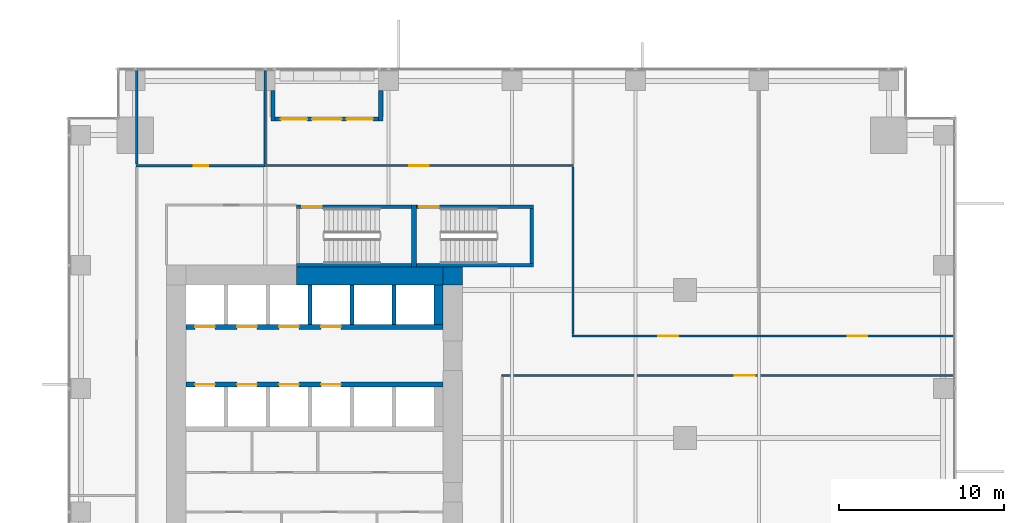
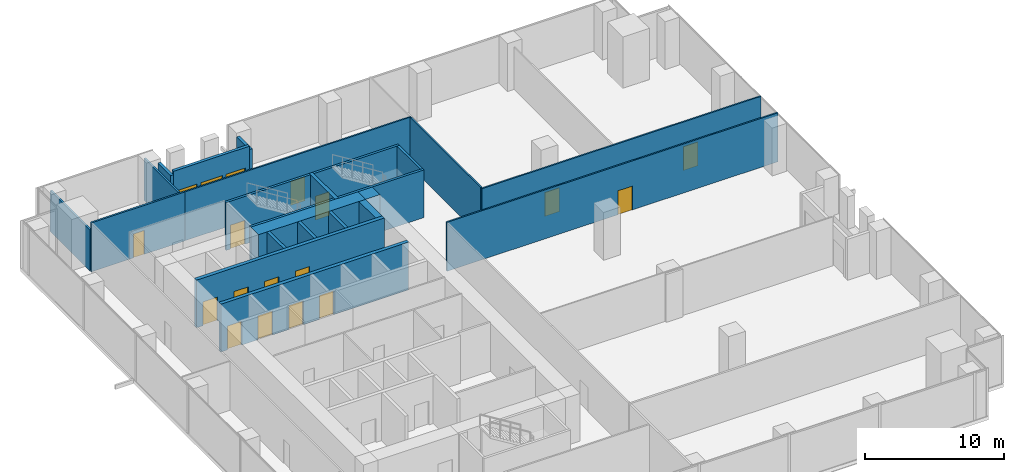
# One storey, part 29 of 33: 24 walls, 16 doors, 2 windows, 18 openings.
"""IFC4 building model written with IfcOpenShell, lengths in metres."""

from ifc_helpers import new_model, si_unit, direction, frame, frame_2d, origin, place, context, subcontext, project, spatial, rectangle, extrude, source, transform, mapped, material, layer, layer_set, type_object, element, fill, save


model = new_model("IFC4")

# Units and contexts
model_context = context("Model", 3, precision=1e-05, world=origin(), true_north=direction((0.0, 1.0)))
body_context = subcontext(model_context, "Body", "Model", "MODEL_VIEW")
ifc_project = project(units=[si_unit("LENGTHUNIT", "METRE"), si_unit("AREAUNIT", "SQUARE_METRE"), si_unit("VOLUMEUNIT", "CUBIC_METRE"), si_unit("PLANEANGLEUNIT", "RADIAN"), si_unit("MASSUNIT", "GRAM", prefix="KILO")], contexts=[model_context])

# Site, building, storey
site_placement = place(None, origin())
site = spatial("IfcSite", under=ifc_project, at=site_placement, CompositionType="ELEMENT")
building_placement = place(site_placement, origin())
building = spatial("IfcBuilding", under=site, at=building_placement, Name="Khomas Fold Tower", CompositionType="ELEMENT")
storey_placement = place(building_placement, frame((0.0, 0.0, 78.0)))
storey = spatial("IfcBuildingStorey", under=building, at=storey_placement, Name="L16", CompositionType="ELEMENT", Elevation=78.0)

# Walls
ifc_material_1 = material(Name="Concrete C70/85", Category="concrete")
ifc_layer_1 = layer(ifc_material_1, 1.10009765625)
ifc_layer_set_1 = layer_set([ifc_layer_1], Name="Concrete C70/85")
wall_type_1 = type_object("IfcWallType", Name="Core wall 1100", PredefinedType="SHEAR", material=ifc_layer_set_1)
shared_shape_1 = source(origin(), body_context, "Body", "SweptSolid", [
    extrude(rectangle(XDim=8.900146484375, YDim=1.10009765625, at=frame_2d((4.4501953125, 0.0))), origin(), (0.0, 0.0, 1.0), 4.199951171875),
])
wall_1_placement = place(storey_placement, frame((13.89990234375, 41.35009765625, 0.0), z_axis=(0.0, 0.0, 1.0), x_axis=(1.0, 0.0, 0.0)))
element("IfcWall", 1, at=wall_1_placement, inside=storey, type_object=wall_type_1, Name="Core wall CW-L-N-B2-1", PredefinedType="SHEAR", context=body_context, shape_type="MappedRepresentation", body=[
    mapped(shared_shape_1, transform((0.0, 0.0, 0.0))),
])
ifc_material_2 = material(Name="Concrete C70/85", Category="concrete")
ifc_layer_2 = layer(ifc_material_2, 1.10009765625)
ifc_layer_set_2 = layer_set([ifc_layer_2], Name="Concrete C70/85")
wall_type_2 = type_object("IfcWallType", Name="Core corner wall 1100", PredefinedType="SHEAR", material=ifc_layer_set_2)
shared_shape_2 = source(origin(), body_context, "Body", "SweptSolid", [
    extrude(rectangle(XDim=1.199951171875, YDim=1.10009765625, at=frame_2d((0.60009765625, 0.0))), origin(), (0.0, 0.0, 1.0), 4.199951171875),
])
wall_2_placement = place(storey_placement, frame((22.800048828125, 41.35009765625, 0.0), z_axis=(0.0, 0.0, 1.0), x_axis=(1.0, 0.0, 0.0)))
element("IfcWall", 2, at=wall_2_placement, inside=storey, type_object=wall_type_2, Name="Core wall CW-L-NE-B2", PredefinedType="SHEAR", context=body_context, shape_type="MappedRepresentation", body=[
    mapped(shared_shape_2, transform((0.0, 0.0, 0.0))),
])

# Wall, opening, door
ifc_material_3 = material(Name="Concrete C50/60", Category="concrete")
ifc_layer_3 = layer(ifc_material_3, 0.199951171875)
ifc_layer_set_3 = layer_set([ifc_layer_3], Name="Concrete C50/60")
wall_type_3 = type_object("IfcWallType", Name="Stair wall 200", PredefinedType="SHEAR", material=ifc_layer_set_3)
shared_shape_3 = source(origin(), body_context, "Body", "SweptSolid", [
    extrude(rectangle(XDim=7.0, YDim=0.199951171875, at=frame_2d((3.5, 0.0))), origin(), (0.0, 0.0, 1.0), 4.199951171875),
])
wall_3_placement = place(storey_placement, frame((13.89990234375, 45.550048828125, 0.0), z_axis=(0.0, 0.0, 1.0), x_axis=(1.0, 0.0, 0.0)))
wall_3 = element("IfcWall", 3, at=wall_3_placement, inside=storey, type_object=wall_type_3, Name="Stair wall SW-ST1-N", PredefinedType="SHEAR", context=body_context, shape_type="MappedRepresentation", body=[
    mapped(shared_shape_3, transform((0.0, 0.0, 0.0))),
])
shared_shape_4 = source(origin(), body_context, "Body", "SweptSolid", [
    extrude(rectangle(XDim=1.199951171875, YDim=2.10009765625, at=frame_2d((0.60009765625, 1.050048828125))), frame((0.0, 0.10986328125, 0.0), z_axis=(0.0, -1.0, 0.0), x_axis=(1.0, 0.0, 0.0)), (0.0, 0.0, 1.0), 0.219970703125),
])
opening_1_placement = place(wall_3_placement, frame((0.35009765625, 0.0, 0.0)))
opening_1 = element("IfcOpeningElement", 4, at=opening_1_placement, cuts=wall_3, Name="Opening SD-ST1", PredefinedType="OPENING", context=body_context, shape_type="MappedRepresentation", body=[
    mapped(shared_shape_4, transform((0.0, 0.0, 0.0))),
])
ifc_material_4 = material(Name="Steel door leaf", Category="steel")
door_type_1 = type_object("IfcDoorType", Name="Stair door 1200x2100 left-hand", OperationType="SINGLE_SWING_LEFT", PredefinedType="DOOR", material=ifc_material_4)
shared_shape_5 = source(origin(), body_context, "Body", "SweptSolid", [
    extrude(rectangle(XDim=1.199951171875, YDim=2.10009765625, at=frame_2d((0.60009765625, 1.050048828125))), frame((0.0, 0.02490234375, 0.0), z_axis=(0.0, -1.0, 0.0), x_axis=(1.0, 0.0, 0.0)), (0.0, 0.0, 1.0), 0.050048828125),
])
door_1_placement = place(opening_1_placement, origin())
door_1 = element("IfcDoor", 5, at=door_1_placement, inside=storey, type_object=door_type_1, Name="Stair door", OperationType="SINGLE_SWING_LEFT", OverallHeight=2.10009765625, OverallWidth=1.199951171875, PredefinedType="DOOR", context=body_context, shape_type="MappedRepresentation", body=[
    mapped(shared_shape_5, transform((0.0, 0.0, 0.0))),
])
fill(opening_1, door_1)

# Wall
wall_4_placement = place(storey_placement, frame((13.89990234375, 42.0, 0.0), z_axis=(0.0, 0.0, 1.0), x_axis=(1.0, 0.0, 0.0)))
element("IfcWall", 6, at=wall_4_placement, inside=storey, type_object=wall_type_3, Name="Stair wall SW-ST1-S", PredefinedType="SHEAR", context=body_context, shape_type="MappedRepresentation", body=[
    mapped(shared_shape_3, transform((0.0, 0.0, 0.0))),
])

# Wall, opening, door
shared_shape_6 = source(origin(), body_context, "Body", "SweptSolid", [
    extrude(rectangle(XDim=7.10009765625, YDim=0.199951171875, at=frame_2d((3.550048828125, 0.0))), origin(), (0.0, 0.0, 1.0), 4.199951171875),
])
wall_5_placement = place(storey_placement, frame((21.199951171875, 45.550048828125, 0.0), z_axis=(0.0, 0.0, 1.0), x_axis=(1.0, 0.0, 0.0)))
wall_5 = element("IfcWall", 7, at=wall_5_placement, inside=storey, type_object=wall_type_3, Name="Stair wall SW-ST3-N", PredefinedType="SHEAR", context=body_context, shape_type="MappedRepresentation", body=[
    mapped(shared_shape_6, transform((0.0, 0.0, 0.0))),
])
opening_2_placement = place(wall_5_placement, frame((0.14990234375, 0.0, 0.0)))
opening_2 = element("IfcOpeningElement", 8, at=opening_2_placement, cuts=wall_5, Name="Opening SD-ST3", PredefinedType="OPENING", context=body_context, shape_type="MappedRepresentation", body=[
    mapped(shared_shape_4, transform((0.0, 0.0, 0.0))),
])
door_2_placement = place(opening_2_placement, origin())
door_2 = element("IfcDoor", 9, at=door_2_placement, inside=storey, type_object=door_type_1, Name="Stair door", OperationType="SINGLE_SWING_LEFT", OverallHeight=2.10009765625, OverallWidth=1.199951171875, PredefinedType="DOOR", context=body_context, shape_type="MappedRepresentation", body=[
    mapped(shared_shape_5, transform((0.0, 0.0, 0.0))),
])
fill(opening_2, door_2)

# Walls
wall_6_placement = place(storey_placement, frame((21.199951171875, 42.0, 0.0), z_axis=(0.0, 0.0, 1.0), x_axis=(1.0, 0.0, 0.0)))
element("IfcWall", 10, at=wall_6_placement, inside=storey, type_object=wall_type_3, Name="Stair wall SW-ST3-S", PredefinedType="SHEAR", context=body_context, shape_type="MappedRepresentation", body=[
    mapped(shared_shape_6, transform((0.0, 0.0, 0.0))),
])
ifc_material_5 = material(Name="Concrete C50/60", Category="concrete")
ifc_layer_4 = layer(ifc_material_5, 0.300048828125)
ifc_layer_set_4 = layer_set([ifc_layer_4], Name="Concrete C50/60")
wall_type_4 = type_object("IfcWallType", Name="Stair wall 300", PredefinedType="SHEAR", material=ifc_layer_set_4)
shared_shape_7 = source(origin(), body_context, "Body", "SweptSolid", [
    extrude(rectangle(XDim=3.75, YDim=0.300048828125, at=frame_2d((1.875, 0.0))), origin(), (0.0, 0.0, 1.0), 4.199951171875),
])
wall_7_placement = place(storey_placement, frame((21.050048828125, 41.89990234375, 0.0), z_axis=(0.0, 0.0, 1.0), x_axis=(0.0, 1.0, 0.0)))
element("IfcWall", 11, at=wall_7_placement, inside=storey, type_object=wall_type_4, Name="Stair wall SW-ST1-E", PredefinedType="SHEAR", context=body_context, shape_type="MappedRepresentation", body=[
    mapped(shared_shape_7, transform((0.0, 0.0, 0.0))),
])
shared_shape_8 = source(origin(), body_context, "Body", "SweptSolid", [
    extrude(rectangle(XDim=3.349853515625, YDim=0.199951171875, at=frame_2d((1.6748046875, 0.0))), origin(), (0.0, 0.0, 1.0), 4.199951171875),
])
wall_8_placement = place(storey_placement, frame((28.199951171875, 42.10009765625, 0.0), z_axis=(0.0, 0.0, 1.0), x_axis=(0.0, 1.0, 0.0)))
element("IfcWall", 12, at=wall_8_placement, inside=storey, type_object=wall_type_3, Name="Stair wall SW-ST3-E", PredefinedType="SHEAR", context=body_context, shape_type="MappedRepresentation", body=[
    mapped(shared_shape_8, transform((0.0, 0.0, 0.0))),
])

# Wall, openings, doors
ifc_material_6 = material(Name="Concrete C50/60", Category="concrete")
ifc_layer_5 = layer(ifc_material_6, 0.300048828125)
ifc_layer_set_5 = layer_set([ifc_layer_5], Name="Concrete C50/60")
wall_type_5 = type_object("IfcWallType", Name="Shaft wall 300", PredefinedType="STANDARD", material=ifc_layer_set_5)
shared_shape_9 = source(origin(), body_context, "Body", "SweptSolid", [
    extrude(rectangle(XDim=15.60009765625, YDim=0.300048828125, at=frame_2d((7.800048828125, 0.0))), origin(), (0.0, 0.0, 1.0), 4.199951171875),
])
wall_9_placement = place(storey_placement, frame((7.199951171875, 38.25, 0.0), z_axis=(0.0, 0.0, 1.0), x_axis=(1.0, 0.0, 0.0)))
wall_9 = element("IfcWall", 13, at=wall_9_placement, inside=storey, type_object=wall_type_5, Name="Core wall SW-LRN-F", PredefinedType="STANDARD", context=body_context, shape_type="MappedRepresentation", body=[
    mapped(shared_shape_9, transform((0.0, 0.0, 0.0))),
])
shared_shape_10 = source(origin(), body_context, "Body", "SweptSolid", [
    extrude(rectangle(XDim=1.199951171875, YDim=2.10009765625, at=frame_2d((0.60009765625, 1.050048828125))), frame((0.0, 0.159912109375, 0.0), z_axis=(0.0, -1.0, 0.0), x_axis=(1.0, 0.0, 0.0)), (0.0, 0.0, 1.0), 0.320068359375),
])
opening_3_placement = place(wall_9_placement, frame((0.550048828125, 0.0, 0.0)))
opening_3 = element("IfcOpeningElement", 14, at=opening_3_placement, cuts=wall_9, Name="Opening LD-LR5", PredefinedType="OPENING", context=body_context, shape_type="MappedRepresentation", body=[
    mapped(shared_shape_10, transform((0.0, 0.0, 0.0))),
])
opening_4_placement = place(wall_9_placement, frame((3.10009765625, 0.0, 0.0)))
opening_4 = element("IfcOpeningElement", 15, at=opening_4_placement, cuts=wall_9, Name="Opening LD-LR6", PredefinedType="OPENING", context=body_context, shape_type="MappedRepresentation", body=[
    mapped(shared_shape_10, transform((0.0, 0.0, 0.0))),
])
opening_5_placement = place(wall_9_placement, frame((5.64990234375, 0.0, 0.0)))
opening_5 = element("IfcOpeningElement", 16, at=opening_5_placement, cuts=wall_9, Name="Opening LD-LR7", PredefinedType="OPENING", context=body_context, shape_type="MappedRepresentation", body=[
    mapped(shared_shape_10, transform((0.0, 0.0, 0.0))),
])
opening_6_placement = place(wall_9_placement, frame((8.199951171875, 0.0, 0.0)))
opening_6 = element("IfcOpeningElement", 17, at=opening_6_placement, cuts=wall_9, Name="Opening LD-LR8", PredefinedType="OPENING", context=body_context, shape_type="MappedRepresentation", body=[
    mapped(shared_shape_10, transform((0.0, 0.0, 0.0))),
])
ifc_material_7 = material(Name="Steel door leaf", Category="steel")
door_type_2 = type_object("IfcDoorType", Name="Landing door 1200x2100", OperationType="DOUBLE_DOOR_SLIDING", PredefinedType="DOOR", material=ifc_material_7)
door_3_placement = place(opening_3_placement, origin())
door_3 = element("IfcDoor", 18, at=door_3_placement, inside=storey, type_object=door_type_2, Name="Lift landing door", OperationType="DOUBLE_DOOR_SLIDING", OverallHeight=2.10009765625, OverallWidth=1.199951171875, PredefinedType="DOOR", context=body_context, shape_type="MappedRepresentation", body=[
    mapped(shared_shape_5, transform((0.0, 0.0, 0.0))),
])
fill(opening_3, door_3)
door_4_placement = place(opening_4_placement, origin())
door_4 = element("IfcDoor", 19, at=door_4_placement, inside=storey, type_object=door_type_2, Name="Lift landing door", OperationType="DOUBLE_DOOR_SLIDING", OverallHeight=2.10009765625, OverallWidth=1.199951171875, PredefinedType="DOOR", context=body_context, shape_type="MappedRepresentation", body=[
    mapped(shared_shape_5, transform((0.0, 0.0, 0.0))),
])
fill(opening_4, door_4)
door_5_placement = place(opening_5_placement, origin())
door_5 = element("IfcDoor", 20, at=door_5_placement, inside=storey, type_object=door_type_2, Name="Lift landing door", OperationType="DOUBLE_DOOR_SLIDING", OverallHeight=2.10009765625, OverallWidth=1.199951171875, PredefinedType="DOOR", context=body_context, shape_type="MappedRepresentation", body=[
    mapped(shared_shape_5, transform((0.0, 0.0, 0.0))),
])
fill(opening_5, door_5)
door_6_placement = place(opening_6_placement, origin())
door_6 = element("IfcDoor", 21, at=door_6_placement, inside=storey, type_object=door_type_2, Name="Lift landing door", OperationType="DOUBLE_DOOR_SLIDING", OverallHeight=2.10009765625, OverallWidth=1.199951171875, PredefinedType="DOOR", context=body_context, shape_type="MappedRepresentation", body=[
    mapped(shared_shape_5, transform((0.0, 0.0, 0.0))),
])
fill(opening_6, door_6)

wall_10_placement = place(storey_placement, frame((7.199951171875, 34.75, 0.0), z_axis=(0.0, 0.0, 1.0), x_axis=(1.0, 0.0, 0.0)))
wall_10 = element("IfcWall", 22, at=wall_10_placement, inside=storey, type_object=wall_type_5, Name="Core wall SW-LRS-F", PredefinedType="STANDARD", context=body_context, shape_type="MappedRepresentation", body=[
    mapped(shared_shape_9, transform((0.0, 0.0, 0.0))),
])
opening_7_placement = place(wall_10_placement, frame((0.550048828125, 0.0, 0.0)))
opening_7 = element("IfcOpeningElement", 23, at=opening_7_placement, cuts=wall_10, Name="Opening LD-LR1", PredefinedType="OPENING", context=body_context, shape_type="MappedRepresentation", body=[
    mapped(shared_shape_10, transform((0.0, 0.0, 0.0))),
])
opening_8_placement = place(wall_10_placement, frame((3.10009765625, 0.0, 0.0)))
opening_8 = element("IfcOpeningElement", 24, at=opening_8_placement, cuts=wall_10, Name="Opening LD-LR2", PredefinedType="OPENING", context=body_context, shape_type="MappedRepresentation", body=[
    mapped(shared_shape_10, transform((0.0, 0.0, 0.0))),
])
opening_9_placement = place(wall_10_placement, frame((5.64990234375, 0.0, 0.0)))
opening_9 = element("IfcOpeningElement", 25, at=opening_9_placement, cuts=wall_10, Name="Opening LD-LR3", PredefinedType="OPENING", context=body_context, shape_type="MappedRepresentation", body=[
    mapped(shared_shape_10, transform((0.0, 0.0, 0.0))),
])
opening_10_placement = place(wall_10_placement, frame((8.199951171875, 0.0, 0.0)))
opening_10 = element("IfcOpeningElement", 26, at=opening_10_placement, cuts=wall_10, Name="Opening LD-LR4", PredefinedType="OPENING", context=body_context, shape_type="MappedRepresentation", body=[
    mapped(shared_shape_10, transform((0.0, 0.0, 0.0))),
])
door_7_placement = place(opening_7_placement, origin())
door_7 = element("IfcDoor", 27, at=door_7_placement, inside=storey, type_object=door_type_2, Name="Lift landing door", OperationType="DOUBLE_DOOR_SLIDING", OverallHeight=2.10009765625, OverallWidth=1.199951171875, PredefinedType="DOOR", context=body_context, shape_type="MappedRepresentation", body=[
    mapped(shared_shape_5, transform((0.0, 0.0, 0.0))),
])
fill(opening_7, door_7)
door_8_placement = place(opening_8_placement, origin())
door_8 = element("IfcDoor", 28, at=door_8_placement, inside=storey, type_object=door_type_2, Name="Lift landing door", OperationType="DOUBLE_DOOR_SLIDING", OverallHeight=2.10009765625, OverallWidth=1.199951171875, PredefinedType="DOOR", context=body_context, shape_type="MappedRepresentation", body=[
    mapped(shared_shape_5, transform((0.0, 0.0, 0.0))),
])
fill(opening_8, door_8)
door_9_placement = place(opening_9_placement, origin())
door_9 = element("IfcDoor", 29, at=door_9_placement, inside=storey, type_object=door_type_2, Name="Lift landing door", OperationType="DOUBLE_DOOR_SLIDING", OverallHeight=2.10009765625, OverallWidth=1.199951171875, PredefinedType="DOOR", context=body_context, shape_type="MappedRepresentation", body=[
    mapped(shared_shape_5, transform((0.0, 0.0, 0.0))),
])
fill(opening_9, door_9)
door_10_placement = place(opening_10_placement, origin())
door_10 = element("IfcDoor", 30, at=door_10_placement, inside=storey, type_object=door_type_2, Name="Lift landing door", OperationType="DOUBLE_DOOR_SLIDING", OverallHeight=2.10009765625, OverallWidth=1.199951171875, PredefinedType="DOOR", context=body_context, shape_type="MappedRepresentation", body=[
    mapped(shared_shape_5, transform((0.0, 0.0, 0.0))),
])
fill(opening_10, door_10)

# Walls
ifc_material_8 = material(Name="Concrete C50/60", Category="concrete")
ifc_layer_6 = layer(ifc_material_8, 0.25)
ifc_layer_set_6 = layer_set([ifc_layer_6], Name="Concrete C50/60")
wall_type_6 = type_object("IfcWallType", Name="Shaft wall 250", PredefinedType="STANDARD", material=ifc_layer_set_6)
shared_shape_11 = source(origin(), body_context, "Body", "SweptSolid", [
    extrude(rectangle(XDim=2.400146484375, YDim=0.25, at=frame_2d((1.2001953125, 0.0))), origin(), (0.0, 0.0, 1.0), 4.199951171875),
])
for number, where, z_axis, x_axis, name in (
    (31, (14.72509765625, 38.39990234375, 0.0), (0.0, 0.0, 1.0), (0.0, 1.0, 0.0), "Core wall SW-LRN-P3"),
    (32, (17.27490234375, 38.39990234375, 0.0), (0.0, 0.0, 1.0), (0.0, 1.0, 0.0), "Core wall SW-LRN-P4"),
    (33, (19.824951171875, 38.39990234375, 0.0), (0.0, 0.0, 1.0), (0.0, 1.0, 0.0), "Core wall SW-LRN-P5"),
):
    element("IfcWall", number, at=place(storey_placement, frame(where, z_axis=z_axis, x_axis=x_axis)), inside=storey, type_object=wall_type_6, Name=name, PredefinedType="STANDARD", context=body_context, shape_type="MappedRepresentation", body=[
        mapped(shared_shape_11, transform((0.0, 0.0, 0.0))),
    ])
ifc_material_9 = material(Name="Concrete C50/60", Category="concrete")
ifc_layer_7 = layer(ifc_material_9, 0.550048828125)
ifc_layer_set_7 = layer_set([ifc_layer_7], Name="Concrete C50/60")
wall_type_7 = type_object("IfcWallType", Name="Shaft wall 550", PredefinedType="STANDARD", material=ifc_layer_set_7)
shared_shape_12 = source(origin(), body_context, "Body", "SweptSolid", [
    extrude(rectangle(XDim=2.400146484375, YDim=0.550048828125, at=frame_2d((1.2001953125, 0.0))), origin(), (0.0, 0.0, 1.0), 4.199951171875),
])
wall_11_placement = place(storey_placement, frame((22.52490234375, 38.39990234375, 0.0), z_axis=(0.0, 0.0, 1.0), x_axis=(0.0, 1.0, 0.0)))
element("IfcWall", 34, at=wall_11_placement, inside=storey, type_object=wall_type_7, Name="Core wall SW-LRN-PE", PredefinedType="STANDARD", context=body_context, shape_type="MappedRepresentation", body=[
    mapped(shared_shape_12, transform((0.0, 0.0, 0.0))),
])
ifc_material_10 = material(Name="Natural stone", Category="masonry")
ifc_layer_8 = layer(ifc_material_10, 0.0400390625)
ifc_material_11 = material(Name="Mineral wool insulation", Category="insulation")
ifc_layer_9 = layer(ifc_material_11, 0.10009765625)
ifc_material_12 = material(Name="Masonry", Category="masonry")
ifc_layer_10 = layer(ifc_material_12, 0.110107421875)
ifc_layer_set_8 = layer_set([ifc_layer_8, ifc_layer_9, ifc_layer_10], Name="Stone-faced insulated masonry")
wall_type_8 = type_object("IfcWallType", Name="BL-Balcony wall", PredefinedType="SOLIDWALL", material=ifc_layer_set_8)
shared_shape_13 = source(origin(), body_context, "Body", "SweptSolid", [
    extrude(rectangle(XDim=1.85009765625, YDim=0.25, at=frame_2d((0.925048828125, 0.0))), origin(), (0.0, 0.0, 1.0), 3.89990234375),
])
for number, where, z_axis, x_axis, name in (
    (35, (12.47509765625, 52.60009765625, 0.0), (0.0, 0.0, 1.0), (0.0, -1.0, 0.0), "Balcony return wall BAL-L16-N1-lo"),
    (36, (19.02490234375, 52.60009765625, 0.0), (0.0, 0.0, 1.0), (0.0, -1.0, 0.0), "Balcony return wall BAL-L16-N1-hi"),
):
    element("IfcWall", number, at=place(storey_placement, frame(where, z_axis=z_axis, x_axis=x_axis)), inside=storey, type_object=wall_type_8, Name=name, PredefinedType="SOLIDWALL", context=body_context, shape_type="MappedRepresentation", body=[
        mapped(shared_shape_13, transform((0.0, 0.0, 0.0))),
    ])

# Wall, openings, windows, door
shared_shape_14 = source(origin(), body_context, "Body", "SweptSolid", [
    extrude(rectangle(XDim=6.2998046875, YDim=0.25, at=frame_2d((3.14990234375, 0.0))), origin(), (0.0, 0.0, 1.0), 4.199951171875),
])
wall_12_placement = place(storey_placement, frame((12.60009765625, 50.875, 0.0), z_axis=(0.0, 0.0, 1.0), x_axis=(1.0, 0.0, 0.0)))
wall_12 = element("IfcWall", 37, at=wall_12_placement, inside=storey, type_object=wall_type_8, Name="Balcony wall BAL-L16-N1", PredefinedType="SOLIDWALL", context=body_context, shape_type="MappedRepresentation", body=[
    mapped(shared_shape_14, transform((0.0, 0.0, 0.0))),
])
shared_shape_15 = source(origin(), body_context, "Body", "SweptSolid", [
    extrude(rectangle(XDim=1.60009765625, YDim=2.39990234375, at=frame_2d((0.800048828125, 1.199951171875))), frame((0.0, 0.135009765625, 0.0), z_axis=(0.0, -1.0, 0.0), x_axis=(1.0, 0.0, 0.0)), (0.0, 0.0, 1.0), 0.27001953125),
])
opening_11_placement = place(wall_12_placement, frame((0.35009765625, 0.0, 0.0)))
opening_11 = element("IfcOpeningElement", 38, at=opening_11_placement, cuts=wall_12, Name="Opening BL-W1", PredefinedType="OPENING", context=body_context, shape_type="MappedRepresentation", body=[
    mapped(shared_shape_15, transform((0.0, 0.0, 0.0))),
])
opening_12_placement = place(wall_12_placement, frame((4.35009765625, 0.0, 0.0)))
opening_12 = element("IfcOpeningElement", 39, at=opening_12_placement, cuts=wall_12, Name="Opening BL-W1", PredefinedType="OPENING", context=body_context, shape_type="MappedRepresentation", body=[
    mapped(shared_shape_15, transform((0.0, 0.0, 0.0))),
])
shared_shape_16 = source(origin(), body_context, "Body", "SweptSolid", [
    extrude(rectangle(XDim=1.800048828125, YDim=2.39990234375, at=frame_2d((0.89990234375, 1.199951171875))), frame((0.0, 0.135009765625, 0.0), z_axis=(0.0, -1.0, 0.0), x_axis=(1.0, 0.0, 0.0)), (0.0, 0.0, 1.0), 0.27001953125),
])
opening_13_placement = place(wall_12_placement, frame((2.25, 0.0, 0.0)))
opening_13 = element("IfcOpeningElement", 40, at=opening_13_placement, cuts=wall_12, Name="Opening BD162", PredefinedType="OPENING", context=body_context, shape_type="MappedRepresentation", body=[
    mapped(shared_shape_16, transform((0.0, 0.0, 0.0))),
])
ifc_material_13 = material(Name="Aluminium framed double glazing", Category="aluminium")
window_type = type_object("IfcWindowType", Name="BL-Fixed glazing 1600 x 2400", PartitioningType="SINGLE_PANEL", PredefinedType="WINDOW", material=ifc_material_13)
shared_shape_17 = source(origin(), body_context, "Body", "SweptSolid", [
    extrude(rectangle(XDim=1.60009765625, YDim=2.39990234375, at=frame_2d((0.800048828125, 1.199951171875))), frame((0.0, 0.030029296875, 0.0), z_axis=(0.0, -1.0, 0.0), x_axis=(1.0, 0.0, 0.0)), (0.0, 0.0, 1.0), 0.06005859375),
])
window_1_placement = place(opening_11_placement, origin())
window_1 = element("IfcWindow", 41, at=window_1_placement, inside=storey, type_object=window_type, Name="Balcony glazing BAL-L16-N1-1", OverallHeight=2.39990234375, OverallWidth=1.60009765625, PartitioningType="SINGLE_PANEL", PredefinedType="WINDOW", context=body_context, shape_type="MappedRepresentation", body=[
    mapped(shared_shape_17, transform((0.0, 0.0, 0.0))),
])
fill(opening_11, window_1)
window_2_placement = place(opening_12_placement, origin())
window_2 = element("IfcWindow", 42, at=window_2_placement, inside=storey, type_object=window_type, Name="Balcony glazing BAL-L16-N1-2", OverallHeight=2.39990234375, OverallWidth=1.60009765625, PartitioningType="SINGLE_PANEL", PredefinedType="WINDOW", context=body_context, shape_type="MappedRepresentation", body=[
    mapped(shared_shape_17, transform((0.0, 0.0, 0.0))),
])
fill(opening_12, window_2)
ifc_material_14 = material(Name="Aluminium framed double glazing", Category="aluminium")
door_type_3 = type_object("IfcDoorType", Name="BL-Glazed balcony door 1800 x 2400", OperationType="DOUBLE_DOOR_DOUBLE_SWING", PredefinedType="DOOR", material=ifc_material_14)
shared_shape_18 = source(origin(), body_context, "Body", "SweptSolid", [
    extrude(rectangle(XDim=1.800048828125, YDim=2.39990234375, at=frame_2d((0.89990234375, 1.199951171875))), frame((0.0, 0.02490234375, 0.0), z_axis=(0.0, -1.0, 0.0), x_axis=(1.0, 0.0, 0.0)), (0.0, 0.0, 1.0), 0.050048828125),
])
door_11_placement = place(opening_13_placement, origin())
door_11 = element("IfcDoor", 43, at=door_11_placement, inside=storey, type_object=door_type_3, Name="Balcony door BD162", OperationType="DOUBLE_DOOR_DOUBLE_SWING", OverallHeight=2.39990234375, OverallWidth=1.800048828125, PredefinedType="DOOR", context=body_context, shape_type="MappedRepresentation", body=[
    mapped(shared_shape_18, transform((0.0, 0.0, 0.0))),
])
fill(opening_13, door_11)

# Wall, opening, door
ifc_material_15 = material(Name="Plasterboard partition")
ifc_layer_11 = layer(ifc_material_15, 0.125)
ifc_layer_set_9 = layer_set([ifc_layer_11], Name="Plasterboard partition")
wall_type_9 = type_object("IfcWallType", Name="Partition PW2 125", PredefinedType="PARTITIONING", material=ifc_layer_set_9)
shared_shape_19 = source(origin(), body_context, "Body", "SweptSolid", [
    extrude(rectangle(XDim=27.5, YDim=0.125, at=frame_2d((13.75, 0.0))), origin(), (0.0, 0.0, 1.0), 4.300048828125),
])
wall_13_placement = place(storey_placement, frame((26.35009765625, 35.300048828125, 0.0), z_axis=(0.0, 0.0, 1.0), x_axis=(1.0, 0.0, 0.0)))
wall_13 = element("IfcWall", 44, at=wall_13_placement, inside=storey, type_object=wall_type_9, Name="Partition", PredefinedType="PARTITIONING", context=body_context, shape_type="MappedRepresentation", body=[
    mapped(shared_shape_19, transform((0.0, 0.0, 0.0))),
])
shared_shape_20 = source(origin(), body_context, "Body", "SweptSolid", [
    extrude(rectangle(XDim=1.199951171875, YDim=2.10009765625, at=frame_2d((0.60009765625, 1.050048828125))), frame((0.0, 0.072509765625, 0.0), z_axis=(0.0, -1.0, 0.0), x_axis=(1.0, 0.0, 0.0)), (0.0, 0.0, 1.0), 0.14501953125),
])
opening_14_placement = place(wall_13_placement, frame((14.199951171875, 0.0, 0.0)))
opening_14 = element("IfcOpeningElement", 45, at=opening_14_placement, cuts=wall_13, Name="Opening 0013", PredefinedType="OPENING", context=body_context, shape_type="MappedRepresentation", body=[
    mapped(shared_shape_20, transform((0.0, 0.0, 0.0))),
])
ifc_material_16 = material(Name="Timber door leaf", Category="wood")
door_type_4 = type_object("IfcDoorType", Name="Door 1200x2100 left-hand", OperationType="SINGLE_SWING_LEFT", PredefinedType="DOOR", material=ifc_material_16)
door_12_placement = place(opening_14_placement, origin())
door_12 = element("IfcDoor", 46, at=door_12_placement, inside=storey, type_object=door_type_4, Name="Door", OperationType="SINGLE_SWING_LEFT", OverallHeight=2.10009765625, OverallWidth=1.199951171875, PredefinedType="DOOR", context=body_context, shape_type="MappedRepresentation", body=[
    mapped(shared_shape_5, transform((0.0, 0.0, 0.0))),
])
fill(opening_14, door_12)

# Wall, openings, doors
shared_shape_21 = source(origin(), body_context, "Body", "SweptSolid", [
    extrude(rectangle(XDim=23.2001953125, YDim=0.125, at=frame_2d((11.60009765625, 0.0))), origin(), (0.0, 0.0, 1.0), 4.300048828125),
])
wall_14_placement = place(storey_placement, frame((30.64990234375, 37.699951171875, 0.0), z_axis=(0.0, 0.0, 1.0), x_axis=(1.0, 0.0, 0.0)))
wall_14 = element("IfcWall", 47, at=wall_14_placement, inside=storey, type_object=wall_type_9, Name="Partition", PredefinedType="PARTITIONING", context=body_context, shape_type="MappedRepresentation", body=[
    mapped(shared_shape_21, transform((0.0, 0.0, 0.0))),
])
opening_15_placement = place(wall_14_placement, frame((5.25, 0.0, 0.0)))
opening_15 = element("IfcOpeningElement", 48, at=opening_15_placement, cuts=wall_14, Name="Opening 0013", PredefinedType="OPENING", context=body_context, shape_type="MappedRepresentation", body=[
    mapped(shared_shape_20, transform((0.0, 0.0, 0.0))),
])
opening_16_placement = place(wall_14_placement, frame((16.75, 0.0, 0.0)))
opening_16 = element("IfcOpeningElement", 49, at=opening_16_placement, cuts=wall_14, Name="Opening 0001", PredefinedType="OPENING", context=body_context, shape_type="MappedRepresentation", body=[
    mapped(shared_shape_20, transform((0.0, 0.0, 0.0))),
])
door_13_placement = place(opening_15_placement, origin())
door_13 = element("IfcDoor", 50, at=door_13_placement, inside=storey, type_object=door_type_4, Name="Door", OperationType="SINGLE_SWING_LEFT", OverallHeight=2.10009765625, OverallWidth=1.199951171875, PredefinedType="DOOR", context=body_context, shape_type="MappedRepresentation", body=[
    mapped(shared_shape_5, transform((0.0, 0.0, 0.0))),
])
fill(opening_15, door_13)
ifc_material_17 = material(Name="Timber door leaf", Category="wood")
door_type_5 = type_object("IfcDoorType", Name="Door 1200x2100 right-hand", OperationType="SINGLE_SWING_RIGHT", PredefinedType="DOOR", material=ifc_material_17)
door_14_placement = place(opening_16_placement, origin())
door_14 = element("IfcDoor", 51, at=door_14_placement, inside=storey, type_object=door_type_5, Name="Door", OperationType="SINGLE_SWING_RIGHT", OverallHeight=2.10009765625, OverallWidth=1.199951171875, PredefinedType="DOOR", context=body_context, shape_type="MappedRepresentation", body=[
    mapped(shared_shape_5, transform((0.0, 0.0, 0.0))),
])
fill(opening_16, door_14)

# Wall
shared_shape_22 = source(origin(), body_context, "Body", "SweptSolid", [
    extrude(rectangle(XDim=10.14990234375, YDim=0.125, at=frame_2d((5.074951171875, 0.0))), origin(), (0.0, 0.0, 1.0), 4.300048828125),
])
wall_15_placement = place(storey_placement, frame((30.699951171875, 37.800048828125, 0.0), z_axis=(0.0, 0.0, 1.0), x_axis=(0.0, 1.0, 0.0)))
element("IfcWall", 52, at=wall_15_placement, inside=storey, type_object=wall_type_9, Name="Partition", PredefinedType="PARTITIONING", context=body_context, shape_type="MappedRepresentation", body=[
    mapped(shared_shape_22, transform((0.0, 0.0, 0.0))),
])

# Wall, opening, door
ifc_material_18 = material(Name="Plasterboard fire partition")
ifc_layer_12 = layer(ifc_material_18, 0.14990234375)
ifc_layer_set_10 = layer_set([ifc_layer_12], Name="Plasterboard fire partition")
wall_type_10 = type_object("IfcWallType", Name="Plant room wall PW3 150", PredefinedType="PARTITIONING", material=ifc_layer_set_10)
shared_shape_23 = source(origin(), body_context, "Body", "SweptSolid", [
    extrude(rectangle(XDim=7.800048828125, YDim=0.14990234375, at=frame_2d((3.89990234375, 0.0))), origin(), (0.0, 0.0, 1.0), 4.300048828125),
])
wall_16_placement = place(storey_placement, frame((4.14990234375, 48.050048828125, 0.0), z_axis=(0.0, 0.0, 1.0), x_axis=(1.0, 0.0, 0.0)))
wall_16 = element("IfcWall", 53, at=wall_16_placement, inside=storey, type_object=wall_type_10, Name="Plant room wall", PredefinedType="PARTITIONING", context=body_context, shape_type="MappedRepresentation", body=[
    mapped(shared_shape_23, transform((0.0, 0.0, 0.0))),
])
shared_shape_24 = source(origin(), body_context, "Body", "SweptSolid", [
    extrude(rectangle(XDim=0.89990234375, YDim=2.10009765625, at=frame_2d((0.449951171875, 1.050048828125))), frame((0.0, 0.0849609375, 0.0), z_axis=(0.0, -1.0, 0.0), x_axis=(1.0, 0.0, 0.0)), (0.0, 0.0, 1.0), 0.169921875),
])
opening_17_placement = place(wall_16_placement, frame((3.5, 0.0, 0.0)))
opening_17 = element("IfcOpeningElement", 54, at=opening_17_placement, cuts=wall_16, Name="Opening 0002", PredefinedType="OPENING", context=body_context, shape_type="MappedRepresentation", body=[
    mapped(shared_shape_24, transform((0.0, 0.0, 0.0))),
])
ifc_material_19 = material(Name="Steel door leaf", Category="steel")
door_type_6 = type_object("IfcDoorType", Name="Plant room door 900x2100 left-hand", OperationType="SINGLE_SWING_LEFT", PredefinedType="DOOR", material=ifc_material_19)
shared_shape_25 = source(origin(), body_context, "Body", "SweptSolid", [
    extrude(rectangle(XDim=0.89990234375, YDim=2.10009765625, at=frame_2d((0.449951171875, 1.050048828125))), frame((0.0, 0.02490234375, 0.0), z_axis=(0.0, -1.0, 0.0), x_axis=(1.0, 0.0, 0.0)), (0.0, 0.0, 1.0), 0.050048828125),
])
door_15_placement = place(opening_17_placement, origin())
door_15 = element("IfcDoor", 55, at=door_15_placement, inside=storey, type_object=door_type_6, Name="Plant room door", OperationType="SINGLE_SWING_LEFT", OverallHeight=2.10009765625, OverallWidth=0.89990234375, PredefinedType="DOOR", context=body_context, shape_type="MappedRepresentation", body=[
    mapped(shared_shape_25, transform((0.0, 0.0, 0.0))),
])
fill(opening_17, door_15)

shared_shape_26 = source(origin(), body_context, "Body", "SweptSolid", [
    extrude(rectangle(XDim=18.800048828125, YDim=0.125, at=frame_2d((9.39990234375, 0.0))), origin(), (0.0, 0.0, 1.0), 4.300048828125),
])
wall_17_placement = place(storey_placement, frame((11.949951171875, 48.050048828125, 0.0), z_axis=(0.0, 0.0, 1.0), x_axis=(1.0, 0.0, 0.0)))
wall_17 = element("IfcWall", 56, at=wall_17_placement, inside=storey, type_object=wall_type_9, Name="Partition", PredefinedType="PARTITIONING", context=body_context, shape_type="MappedRepresentation", body=[
    mapped(shared_shape_26, transform((0.0, 0.0, 0.0))),
])
opening_18_placement = place(wall_17_placement, frame((8.800048828125, 0.0, 0.0)))
opening_18 = element("IfcOpeningElement", 57, at=opening_18_placement, cuts=wall_17, Name="Opening 0001", PredefinedType="OPENING", context=body_context, shape_type="MappedRepresentation", body=[
    mapped(shared_shape_20, transform((0.0, 0.0, 0.0))),
])
door_16_placement = place(opening_18_placement, origin())
door_16 = element("IfcDoor", 58, at=door_16_placement, inside=storey, type_object=door_type_5, Name="Door", OperationType="SINGLE_SWING_RIGHT", OverallHeight=2.10009765625, OverallWidth=1.199951171875, PredefinedType="DOOR", context=body_context, shape_type="MappedRepresentation", body=[
    mapped(shared_shape_5, transform((0.0, 0.0, 0.0))),
])
fill(opening_18, door_16)

# Walls
shared_shape_27 = source(origin(), body_context, "Body", "SweptSolid", [
    extrude(rectangle(XDim=5.7001953125, YDim=0.14990234375, at=frame_2d((2.85009765625, 0.0))), origin(), (0.0, 0.0, 1.0), 3.60009765625),
])
wall_18_placement = place(storey_placement, frame((4.199951171875, 48.14990234375, 0.0), z_axis=(0.0, 0.0, 1.0), x_axis=(0.0, 1.0, 0.0)))
element("IfcWall", 59, at=wall_18_placement, inside=storey, type_object=wall_type_10, Name="Plant room wall", PredefinedType="PARTITIONING", context=body_context, shape_type="MappedRepresentation", body=[
    mapped(shared_shape_27, transform((0.0, 0.0, 0.0))),
])
shared_shape_28 = source(origin(), body_context, "Body", "SweptSolid", [
    extrude(rectangle(XDim=5.7001953125, YDim=0.14990234375, at=frame_2d((2.85009765625, 0.0))), origin(), (0.0, 0.0, 1.0), 3.699951171875),
])
wall_19_placement = place(storey_placement, frame((12.0, 48.14990234375, 0.0), z_axis=(0.0, 0.0, 1.0), x_axis=(0.0, 1.0, 0.0)))
element("IfcWall", 60, at=wall_19_placement, inside=storey, type_object=wall_type_10, Name="Plant room wall", PredefinedType="PARTITIONING", context=body_context, shape_type="MappedRepresentation", body=[
    mapped(shared_shape_28, transform((0.0, 0.0, 0.0))),
])

save(model, "model.ifc")
